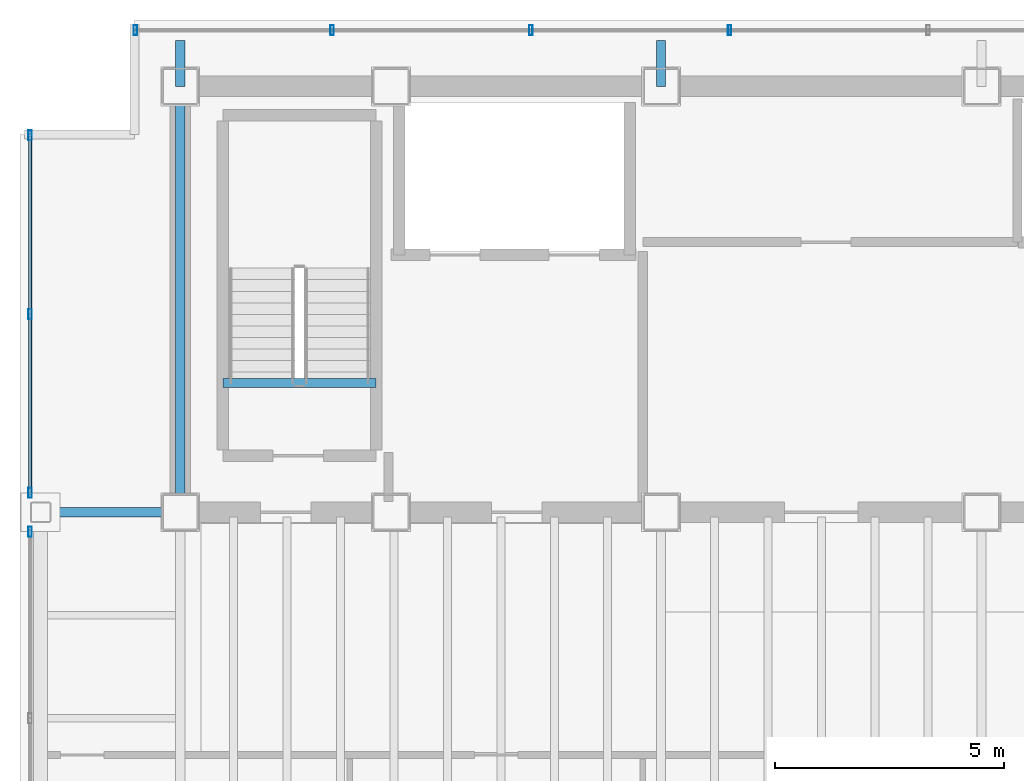
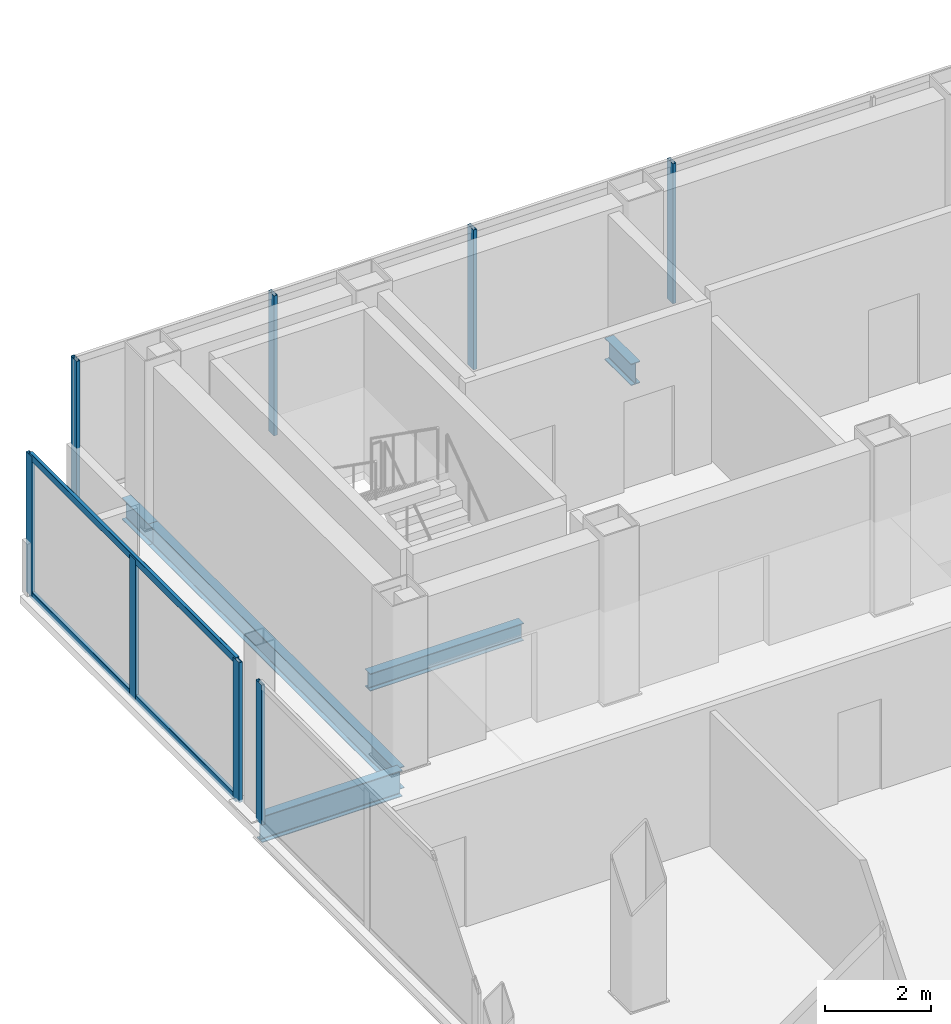
# One storey, part 6 of 15: 10 members, 5 beams, 3 elements without a shape of their own.
"""IFC4 building model written with IfcOpenShell, lengths in metres."""

from ifc_helpers import new_model, si_unit, direction, frame, origin, origin_2d, place, context, subcontext, project, spatial, hollow_rectangle, i_section, extrude, material, material_profile, profile_set, type_object, element, aggregate, save


model = new_model("IFC4")

# Units and contexts
model_context = context("Model", 3, precision=1e-05, world=origin(), true_north=direction((0.0, 1.0)))
body_context = subcontext(model_context, "Body", "Model", "MODEL_VIEW")
ifc_project = project(units=[si_unit("LENGTHUNIT", "METRE"), si_unit("AREAUNIT", "SQUARE_METRE"), si_unit("VOLUMEUNIT", "CUBIC_METRE"), si_unit("PLANEANGLEUNIT", "RADIAN"), si_unit("MASSUNIT", "GRAM", prefix="KILO")], contexts=[model_context])

# Site, building, storey
site_placement = place(None, origin())
site = spatial("IfcSite", under=ifc_project, at=site_placement, CompositionType="ELEMENT")
building_placement = place(site_placement, origin())
building = spatial("IfcBuilding", under=site, at=building_placement, Name="Noeulbin Bourse Tower", CompositionType="ELEMENT")
storey_placement = place(building_placement, frame((0.0, 0.0, 218.89990234375)))
storey = spatial("IfcBuildingStorey", under=building, at=storey_placement, Name="L54", CompositionType="ELEMENT", Elevation=218.89990234375)

# Beams
ifc_material_1 = material(Name="Steel S355", Category="steel")
ifc_material_profile_1 = material_profile(ifc_material_1, i_section(OverallWidth=0.199951171875, OverallDepth=0.5, WebThickness=0.010009765625, FlangeThickness=0.01611328125, FilletRadius=0.02001953125, at=origin_2d()), Name="H-500x200x10x16", Category="LoadBearing")
ifc_profile_set_1 = profile_set([ifc_material_profile_1], Name="Steel S355")
beam_type_1 = type_object("IfcBeamType", Name="BM-GRD-500", PredefinedType="USERDEFINED", material=ifc_profile_set_1)
beam_1_placement = place(storey_placement, frame((13.5, 29.0, -0.429931640625), z_axis=(0.0, 1.0, 0.0), x_axis=(-1.0, 0.0, 0.0)))
element("IfcBeam", 1, at=beam_1_placement, inside=storey, type_object=beam_type_1, Name="Tower Primary Girder NS L54-1.3", ObjectType="GIRDER", PredefinedType="USERDEFINED", context=body_context, shape_type="SweptSolid", body=[
    extrude(i_section(OverallWidth=0.199951171875, OverallDepth=0.5, WebThickness=0.010009765625, FlangeThickness=0.01611328125, FilletRadius=0.02001953125, at=origin_2d()), origin(), (0.0, 0.0, 1.0), 9.300048828125),
])
for number, where, z_axis, x_axis, name in (
    (2, (13.5, 38.300048828125, -0.429931640625), (0.0, 1.0, 0.0), (-1.0, 0.0, 0.0), "Tower Primary Girder NS L54-1.4"),
    (3, (24.0, 38.300048828125, -0.429931640625), (0.0, 1.0, 0.0), (-1.0, 0.0, 0.0), "Tower Primary Girder NS L54-2.4"),
):
    element("IfcBeam", number, at=place(storey_placement, frame(where, z_axis=z_axis, x_axis=x_axis)), inside=storey, type_object=beam_type_1, Name=name, ObjectType="GIRDER", PredefinedType="USERDEFINED", context=body_context, shape_type="SweptSolid", body=[
        extrude(i_section(OverallWidth=0.199951171875, OverallDepth=0.5, WebThickness=0.010009765625, FlangeThickness=0.01611328125, FilletRadius=0.02001953125, at=origin_2d()), origin(), (0.0, 0.0, 1.0), 1.0),
    ])
ifc_material_profile_2 = material_profile(ifc_material_1, i_section(OverallWidth=0.199951171875, OverallDepth=0.60009765625, WebThickness=0.010986328125, FlangeThickness=0.01708984375, FilletRadius=0.02197265625, at=origin_2d()), Name="H-600x200x11x17", Category="LoadBearing")
ifc_profile_set_2 = profile_set([ifc_material_profile_2], Name="Steel S355")
beam_type_2 = type_object("IfcBeamType", Name="BM-GRD-600", PredefinedType="USERDEFINED", material=ifc_profile_set_2)
beam_2_placement = place(storey_placement, frame((10.449951171875, 29.0, -0.47998046875), z_axis=(1.0, 0.0, 0.0), x_axis=(0.0, 1.0, 0.0)))
element("IfcBeam", 4, at=beam_2_placement, inside=storey, type_object=beam_type_2, Name="Tower Primary Girder EW L54-2.1", ObjectType="GIRDER", PredefinedType="USERDEFINED", context=body_context, shape_type="SweptSolid", body=[
    extrude(i_section(OverallWidth=0.199951171875, OverallDepth=0.60009765625, WebThickness=0.010986328125, FlangeThickness=0.01708984375, FilletRadius=0.02197265625, at=origin_2d()), origin(), (0.0, 0.0, 1.0), 3.050048828125),
])
ifc_material_profile_3 = material_profile(ifc_material_1, i_section(OverallWidth=0.199951171875, OverallDepth=0.39990234375, WebThickness=0.008056640625, FlangeThickness=0.012939453125, FilletRadius=0.01611328125, at=origin_2d()), Name="H-400x200x8x13", Category="LoadBearing")
ifc_profile_set_3 = profile_set([ifc_material_profile_3], Name="Steel S355")
beam_type_3 = type_object("IfcBeamType", Name="BM-SEC-400", PredefinedType="BEAM", material=ifc_profile_set_3)
beam_3_placement = place(storey_placement, frame((14.429931640625, 31.820068359375, -0.199951171875), z_axis=(1.0, 0.0, 0.0), x_axis=(0.0, 1.0, 0.0)))
element("IfcBeam", 5, at=beam_3_placement, inside=storey, type_object=beam_type_3, Name="Stair Threshold Trimmer Beam ST1-L54", PredefinedType="BEAM", context=body_context, shape_type="SweptSolid", body=[
    extrude(i_section(OverallWidth=0.199951171875, OverallDepth=0.39990234375, WebThickness=0.008056640625, FlangeThickness=0.012939453125, FilletRadius=0.01611328125, at=origin_2d()), origin(), (0.0, 0.0, 1.0), 3.340087890625),
])

# Curtain wall, members
ifc_material_2 = material(Name="High-Selectivity Low-Iron Glazing", Category="glass")
curtain_wall_type = type_object("IfcCurtainWallType", Name="CW-SYS-4", PredefinedType="NOTDEFINED", material=ifc_material_2)
curtain_wall_1_placement = place(storey_placement, origin())
curtain_wall_1 = element("IfcCurtainWall", 6, at=curtain_wall_1_placement, inside=storey, type_object=curtain_wall_type, Name="Unitised Curtain Wall CW-L54-N", PredefinedType="NOTDEFINED")
ifc_material_3 = material(Name="Anodised Aluminium 6063-T6", Category="aluminium")
ifc_material_profile_4 = material_profile(ifc_material_3, hollow_rectangle(XDim=0.074951171875, YDim=0.219970703125, WallThickness=0.0048828125, InnerFilletRadius=0.00244140625, OuterFilletRadius=0.0048828125, at=origin_2d()), Name="ALU-MULL-75x220x5", Category="LoadBearing")
ifc_profile_set_4 = profile_set([ifc_material_profile_4], Name="Anodised Aluminium 6063-T6")
member_type_1 = type_object("IfcMemberType", Name="CW-SYS-4-MUL", PredefinedType="MULLION", material=ifc_profile_set_4)
member_1_placement = place(storey_placement, frame((12.52001953125, 39.530029296875, -0.02001953125), z_axis=(0.0, 0.0, 1.0), x_axis=(1.0, 0.0, 0.0)))
member_1 = element("IfcMember", 7, at=member_1_placement, type_object=member_type_1, Name="Curtain Wall Mullion CW-L54-N-M00", PredefinedType="MULLION", context=body_context, shape_type="SweptSolid", body=[
    extrude(hollow_rectangle(XDim=0.074951171875, YDim=0.219970703125, WallThickness=0.0048828125, InnerFilletRadius=0.00244140625, OuterFilletRadius=0.0048828125, at=origin_2d()), origin(), (0.0, 0.0, 1.0), 3.22021484375),
])
member_2_placement = place(storey_placement, frame((16.81787109375, 39.530029296875, -0.02001953125), z_axis=(0.0, 0.0, 1.0), x_axis=(1.0, 0.0, 0.0)))
member_2 = element("IfcMember", 8, at=member_2_placement, type_object=member_type_1, Name="Curtain Wall Mullion CW-L54-N-M01", PredefinedType="MULLION", context=body_context, shape_type="SweptSolid", body=[
    extrude(hollow_rectangle(XDim=0.074951171875, YDim=0.219970703125, WallThickness=0.0048828125, InnerFilletRadius=0.00244140625, OuterFilletRadius=0.0048828125, at=origin_2d()), origin(), (0.0, 0.0, 1.0), 3.22021484375),
])
member_3_placement = place(storey_placement, frame((21.155517578125, 39.530029296875, -0.02001953125), z_axis=(0.0, 0.0, 1.0), x_axis=(1.0, 0.0, 0.0)))
member_3 = element("IfcMember", 9, at=member_3_placement, type_object=member_type_1, Name="Curtain Wall Mullion CW-L54-N-M02", PredefinedType="MULLION", context=body_context, shape_type="SweptSolid", body=[
    extrude(hollow_rectangle(XDim=0.074951171875, YDim=0.219970703125, WallThickness=0.0048828125, InnerFilletRadius=0.00244140625, OuterFilletRadius=0.0048828125, at=origin_2d()), origin(), (0.0, 0.0, 1.0), 3.22021484375),
])
member_4_placement = place(storey_placement, frame((25.493408203125, 39.530029296875, -0.02001953125), z_axis=(0.0, 0.0, 1.0), x_axis=(1.0, 0.0, 0.0)))
member_4 = element("IfcMember", 10, at=member_4_placement, type_object=member_type_1, Name="Curtain Wall Mullion CW-L54-N-M03", PredefinedType="MULLION", context=body_context, shape_type="SweptSolid", body=[
    extrude(hollow_rectangle(XDim=0.074951171875, YDim=0.219970703125, WallThickness=0.0048828125, InnerFilletRadius=0.00244140625, OuterFilletRadius=0.0048828125, at=origin_2d()), origin(), (0.0, 0.0, 1.0), 3.22021484375),
])
aggregate(curtain_wall_1, [member_1, member_2, member_3, member_4])

# Curtain wall, member
curtain_wall_2_placement = place(storey_placement, origin())
curtain_wall_2 = element("IfcCurtainWall", 11, at=curtain_wall_2_placement, inside=storey, type_object=curtain_wall_type, Name="Unitised Curtain Wall CW-L54-W-S2", PredefinedType="NOTDEFINED")
member_5_placement = place(storey_placement, frame((10.219970703125, 28.574951171875, -0.02001953125), z_axis=(0.0, 0.0, 1.0), x_axis=(1.0, 0.0, 0.0)))
member_5 = element("IfcMember", 12, at=member_5_placement, type_object=member_type_1, Name="Curtain Wall Mullion CW-L54-W-S2-M02", PredefinedType="MULLION", context=body_context, shape_type="SweptSolid", body=[
    extrude(hollow_rectangle(XDim=0.074951171875, YDim=0.219970703125, WallThickness=0.0048828125, InnerFilletRadius=0.00244140625, OuterFilletRadius=0.0048828125, at=origin_2d()), origin(), (0.0, 0.0, 1.0), 3.22021484375),
])
aggregate(curtain_wall_2, [member_5])

# Curtain wall, members
curtain_wall_3_placement = place(storey_placement, origin())
curtain_wall_3 = element("IfcCurtainWall", 13, at=curtain_wall_3_placement, inside=storey, type_object=curtain_wall_type, Name="Unitised Curtain Wall CW-L54-W-S3", PredefinedType="NOTDEFINED")
member_6_placement = place(storey_placement, frame((10.219970703125, 29.425048828125, -0.02001953125), z_axis=(0.0, 0.0, 1.0), x_axis=(1.0, 0.0, 0.0)))
member_6 = element("IfcMember", 14, at=member_6_placement, type_object=member_type_1, Name="Curtain Wall Mullion CW-L54-W-S3-M00", PredefinedType="MULLION", context=body_context, shape_type="SweptSolid", body=[
    extrude(hollow_rectangle(XDim=0.074951171875, YDim=0.219970703125, WallThickness=0.0048828125, InnerFilletRadius=0.00244140625, OuterFilletRadius=0.0048828125, at=origin_2d()), origin(), (0.0, 0.0, 1.0), 3.22021484375),
])
member_7_placement = place(storey_placement, frame((10.219970703125, 33.327392578125, -0.02001953125), z_axis=(0.0, 0.0, 1.0), x_axis=(1.0, 0.0, 0.0)))
member_7 = element("IfcMember", 15, at=member_7_placement, type_object=member_type_1, Name="Curtain Wall Mullion CW-L54-W-S3-M01", PredefinedType="MULLION", context=body_context, shape_type="SweptSolid", body=[
    extrude(hollow_rectangle(XDim=0.074951171875, YDim=0.219970703125, WallThickness=0.0048828125, InnerFilletRadius=0.00244140625, OuterFilletRadius=0.0048828125, at=origin_2d()), origin(), (0.0, 0.0, 1.0), 3.22021484375),
])
member_8_placement = place(storey_placement, frame((10.219970703125, 37.22998046875, -0.02001953125), z_axis=(0.0, 0.0, 1.0), x_axis=(1.0, 0.0, 0.0)))
member_8 = element("IfcMember", 16, at=member_8_placement, type_object=member_type_1, Name="Curtain Wall Mullion CW-L54-W-S3-M02", PredefinedType="MULLION", context=body_context, shape_type="SweptSolid", body=[
    extrude(hollow_rectangle(XDim=0.074951171875, YDim=0.219970703125, WallThickness=0.0048828125, InnerFilletRadius=0.00244140625, OuterFilletRadius=0.0048828125, at=origin_2d()), origin(), (0.0, 0.0, 1.0), 3.22021484375),
])
ifc_material_profile_5 = material_profile(ifc_material_3, hollow_rectangle(XDim=0.074951171875, YDim=0.159912109375, WallThickness=0.0048828125, InnerFilletRadius=0.00244140625, OuterFilletRadius=0.0048828125, at=origin_2d()), Name="ALU-TRAN-75x160x5", Category="LoadBearing")
ifc_profile_set_5 = profile_set([ifc_material_profile_5], Name="Anodised Aluminium 6063-T6")
member_type_2 = type_object("IfcMemberType", Name="CW-SYS-4-TRN", PredefinedType="USERDEFINED", material=ifc_profile_set_5)
member_9_placement = place(storey_placement, frame((10.219970703125, 29.43505859375, 0.010009765625), z_axis=(0.0, 1.0, 0.0), x_axis=(-1.0, 0.0, 0.0)))
member_9 = element("IfcMember", 17, at=member_9_placement, type_object=member_type_2, Name="Curtain Wall Transom CW-L54-W-S3-T00", ObjectType="TRANSOM", PredefinedType="USERDEFINED", context=body_context, shape_type="SweptSolid", body=[
    extrude(hollow_rectangle(XDim=0.074951171875, YDim=0.159912109375, WallThickness=0.0048828125, InnerFilletRadius=0.00244140625, OuterFilletRadius=0.0048828125, at=origin_2d()), origin(), (0.0, 0.0, 1.0), 7.784912109375),
])
member_10_placement = place(storey_placement, frame((10.219970703125, 29.43505859375, 3.170166015625), z_axis=(0.0, 1.0, 0.0), x_axis=(-1.0, 0.0, 0.0)))
member_10 = element("IfcMember", 18, at=member_10_placement, type_object=member_type_2, Name="Curtain Wall Transom CW-L54-W-S3-T01", ObjectType="TRANSOM", PredefinedType="USERDEFINED", context=body_context, shape_type="SweptSolid", body=[
    extrude(hollow_rectangle(XDim=0.074951171875, YDim=0.159912109375, WallThickness=0.0048828125, InnerFilletRadius=0.00244140625, OuterFilletRadius=0.0048828125, at=origin_2d()), origin(), (0.0, 0.0, 1.0), 7.784912109375),
])
aggregate(curtain_wall_3, [member_6, member_7, member_8, member_9, member_10])

save(model, "model.ifc")
